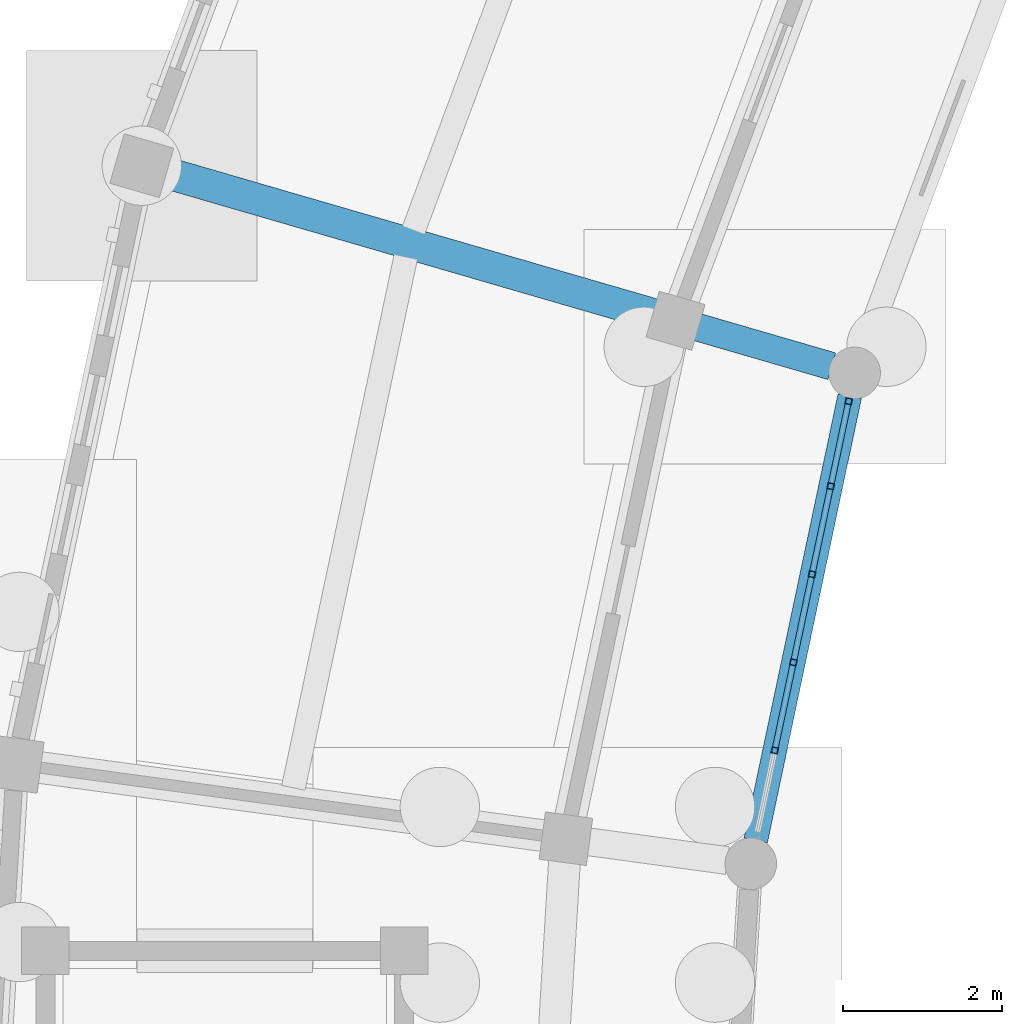
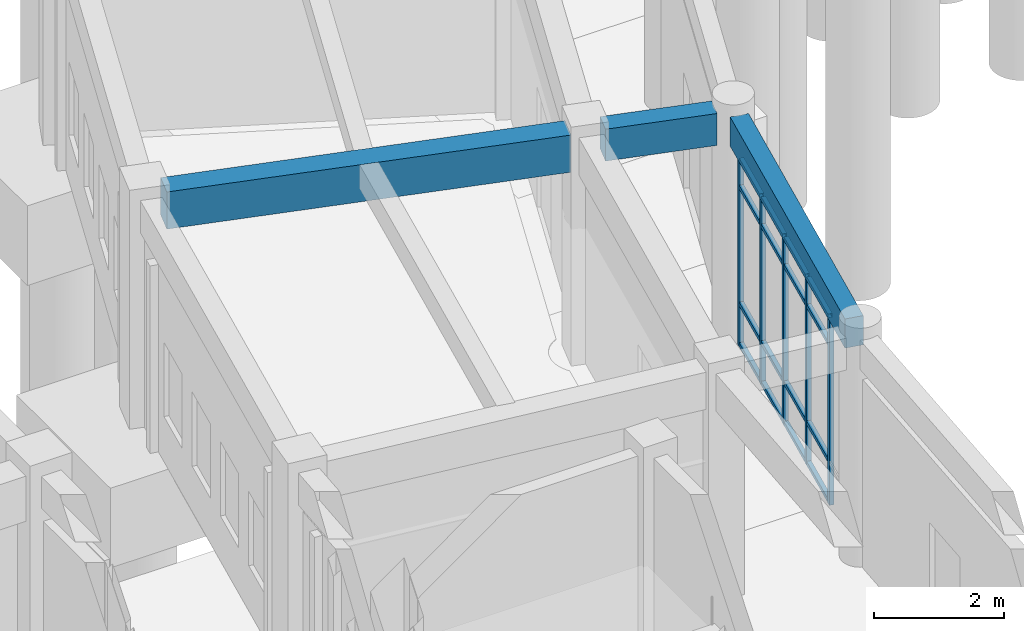
# One storey, part 65 of 153: 21 members, 3 beams, 1 element without a shape of its own.
"""IFC4 building model written with IfcOpenShell, lengths in metres."""

from ifc_helpers import new_model, si_unit, direction, frame, origin, origin_2d, place, context, subcontext, project, spatial, rectangle, hollow_rectangle, extrude, material, material_profile, profile_set, type_object, element, aggregate, save


model = new_model("IFC4")

# Units and contexts
model_context = context("Model", 3, precision=1e-05, world=origin(), true_north=direction((0.0, 1.0)))
body_context = subcontext(model_context, "Body", "Model", "MODEL_VIEW")
ifc_project = project(units=[si_unit("LENGTHUNIT", "METRE"), si_unit("AREAUNIT", "SQUARE_METRE"), si_unit("VOLUMEUNIT", "CUBIC_METRE"), si_unit("PLANEANGLEUNIT", "RADIAN"), si_unit("MASSUNIT", "GRAM", prefix="KILO")], contexts=[model_context])

# Site, building, storey
site_placement = place(None, origin())
site = spatial("IfcSite", under=ifc_project, at=site_placement, CompositionType="ELEMENT")
building_placement = place(site_placement, origin())
building = spatial("IfcBuilding", under=site, at=building_placement, Name="Celadon Cloister-Ring School", CompositionType="ELEMENT")
storey_placement = place(building_placement, origin())
storey = spatial("IfcBuildingStorey", under=building, at=storey_placement, Name="L00", CompositionType="ELEMENT", Elevation=0.0)

# Beam
ifc_material_1 = material(Name="Concrete C35/45", Category="concrete")
ifc_material_profile_1 = material_profile(ifc_material_1, rectangle(XDim=0.35009765625, YDim=0.60009765625, at=origin_2d()), Name="RC350X600")
ifc_profile_set_1 = profile_set([ifc_material_profile_1], Name="Concrete C35/45")
beam_type_1 = type_object("IfcBeamType", Name="BT-02", PredefinedType="BEAM", material=ifc_profile_set_1)
beam_1_placement = place(storey_placement, frame((44.051025390625, 71.47802734375, 3.97998046875), z_axis=(0.960278457091, -0.279043517836, 0.0), x_axis=(0.279043517836, 0.960278457091, 0.0)))
element("IfcBeam", 1, at=beam_1_placement, inside=storey, type_object=beam_type_1, Name="Beam 0012", PredefinedType="BEAM", context=body_context, shape_type="SweptSolid", body=[
    extrude(rectangle(XDim=0.35009765625, YDim=0.60009765625, at=origin_2d()), origin(), (0.0, 0.0, 1.0), 1.7744140625),
])

# Curtain wall, members
ifc_material_2 = material(Name="Aluminium EN AW-6063 T6", Category="aluminium")
curtain_wall_type = type_object("IfcCurtainWallType", Name="CW-01", PredefinedType="USERDEFINED", material=ifc_material_2)
curtain_wall_placement = place(storey_placement, origin())
curtain_wall = element("IfcCurtainWall", 2, at=curtain_wall_placement, inside=storey, type_object=curtain_wall_type, Name="Curtain Wall 0003", ObjectType="CURTAIN WALL", PredefinedType="USERDEFINED")
ifc_material_3 = material(Name="Aluminium EN AW-6063 T6", Category="aluminium")
ifc_material_profile_2 = material_profile(ifc_material_3, hollow_rectangle(XDim=0.080078125, YDim=0.080078125, WallThickness=0.00390625, at=origin_2d()), Name="RHS80X80X4")
ifc_profile_set_2 = profile_set([ifc_material_profile_2], Name="Aluminium EN AW-6063 T6")
member_type_1 = type_object("IfcMemberType", Name="CM-03", PredefinedType="MULLION", material=ifc_profile_set_2)
member_1_placement = place(storey_placement, frame((45.9677734375, 70.541748046875, 0.0), z_axis=(0.0, 0.0, 1.0), x_axis=(0.978320844999, -0.207094964304, 0.0)))
member_1 = element("IfcMember", 3, at=member_1_placement, type_object=member_type_1, Name="CW-01 mullion 1", PredefinedType="MULLION", context=body_context, shape_type="SweptSolid", body=[
    extrude(hollow_rectangle(XDim=0.080078125, YDim=0.080078125, WallThickness=0.00390625, at=origin_2d()), origin(), (0.0, 0.0, 1.0), 3.550048828125),
])
member_2_placement = place(storey_placement, frame((45.7412109375, 69.4716796875, 0.0), z_axis=(0.0, 0.0, 1.0), x_axis=(0.978320844999, -0.207094964304, 0.0)))
member_2 = element("IfcMember", 4, at=member_2_placement, type_object=member_type_1, Name="CW-01 mullion 2", PredefinedType="MULLION", context=body_context, shape_type="SweptSolid", body=[
    extrude(hollow_rectangle(XDim=0.080078125, YDim=0.080078125, WallThickness=0.00390625, at=origin_2d()), origin(), (0.0, 0.0, 1.0), 3.550048828125),
])
member_3_placement = place(storey_placement, frame((45.50634765625, 68.362548828125, 0.0), z_axis=(0.0, 0.0, 1.0), x_axis=(0.978320844999, -0.207094964304, 0.0)))
member_3 = element("IfcMember", 5, at=member_3_placement, type_object=member_type_1, Name="CW-01 mullion 3", PredefinedType="MULLION", context=body_context, shape_type="SweptSolid", body=[
    extrude(hollow_rectangle(XDim=0.080078125, YDim=0.080078125, WallThickness=0.00390625, at=origin_2d()), origin(), (0.0, 0.0, 1.0), 3.550048828125),
])
member_4_placement = place(storey_placement, frame((45.271484375, 67.25341796875, 0.0), z_axis=(0.0, 0.0, 1.0), x_axis=(0.978320844999, -0.207094964304, 0.0)))
member_4 = element("IfcMember", 6, at=member_4_placement, type_object=member_type_1, Name="CW-01 mullion 4", PredefinedType="MULLION", context=body_context, shape_type="SweptSolid", body=[
    extrude(hollow_rectangle(XDim=0.080078125, YDim=0.080078125, WallThickness=0.00390625, at=origin_2d()), origin(), (0.0, 0.0, 1.0), 3.550048828125),
])
member_5_placement = place(storey_placement, frame((45.036865234375, 66.144287109375, 0.0), z_axis=(0.0, 0.0, 1.0), x_axis=(0.978320844999, -0.207094964304, 0.0)))
member_5 = element("IfcMember", 7, at=member_5_placement, type_object=member_type_1, Name="CW-01 mullion 5", PredefinedType="MULLION", context=body_context, shape_type="SweptSolid", body=[
    extrude(hollow_rectangle(XDim=0.080078125, YDim=0.080078125, WallThickness=0.00390625, at=origin_2d()), origin(), (0.0, 0.0, 1.0), 3.550048828125),
])
ifc_material_4 = material(Name="Aluminium EN AW-6063 T6", Category="aluminium")
ifc_material_profile_3 = material_profile(ifc_material_4, hollow_rectangle(XDim=0.074951171875, YDim=0.074951171875, WallThickness=0.00390625, at=origin_2d()), Name="RHS75X75X4")
ifc_profile_set_3 = profile_set([ifc_material_profile_3], Name="Aluminium EN AW-6063 T6")
member_type_2 = type_object("IfcMemberType", Name="CTM-03", PredefinedType="USERDEFINED", material=ifc_profile_set_3)
member_6_placement = place(storey_placement, frame((45.95947265625, 70.502685546875, 0.03759765625), z_axis=(-0.20712705188, -0.97831405202, 0.0), x_axis=(0.97831405202, -0.20712705188, 0.0)))
member_6 = element("IfcMember", 8, at=member_6_placement, type_object=member_type_2, Name="CW-01 transom 1.1", ObjectType="TRANSOM", PredefinedType="USERDEFINED", context=body_context, shape_type="SweptSolid", body=[
    extrude(hollow_rectangle(XDim=0.074951171875, YDim=0.074951171875, WallThickness=0.00390625, at=origin_2d()), origin(), (0.0, 0.0, 1.0), 1.013671875),
])
member_7_placement = place(storey_placement, frame((45.95947265625, 70.502685546875, 0.800048828125), z_axis=(-0.20712705188, -0.97831405202, 0.0), x_axis=(0.97831405202, -0.20712705188, 0.0)))
member_7 = element("IfcMember", 9, at=member_7_placement, type_object=member_type_2, Name="CW-01 transom 1.2", ObjectType="TRANSOM", PredefinedType="USERDEFINED", context=body_context, shape_type="SweptSolid", body=[
    extrude(hollow_rectangle(XDim=0.074951171875, YDim=0.074951171875, WallThickness=0.00390625, at=origin_2d()), origin(), (0.0, 0.0, 1.0), 1.013671875),
])
member_8_placement = place(storey_placement, frame((45.95947265625, 70.502685546875, 3.0), z_axis=(-0.20712705188, -0.97831405202, 0.0), x_axis=(0.97831405202, -0.20712705188, 0.0)))
member_8 = element("IfcMember", 10, at=member_8_placement, type_object=member_type_2, Name="CW-01 transom 1.3", ObjectType="TRANSOM", PredefinedType="USERDEFINED", context=body_context, shape_type="SweptSolid", body=[
    extrude(hollow_rectangle(XDim=0.074951171875, YDim=0.074951171875, WallThickness=0.00390625, at=origin_2d()), origin(), (0.0, 0.0, 1.0), 1.013671875),
])
member_9_placement = place(storey_placement, frame((45.95947265625, 70.502685546875, 3.512451171875), z_axis=(-0.20712705188, -0.97831405202, 0.0), x_axis=(0.97831405202, -0.20712705188, 0.0)))
member_9 = element("IfcMember", 11, at=member_9_placement, type_object=member_type_2, Name="CW-01 transom 1.4", ObjectType="TRANSOM", PredefinedType="USERDEFINED", context=body_context, shape_type="SweptSolid", body=[
    extrude(hollow_rectangle(XDim=0.074951171875, YDim=0.074951171875, WallThickness=0.00390625, at=origin_2d()), origin(), (0.0, 0.0, 1.0), 1.013671875),
])
member_10_placement = place(storey_placement, frame((45.73291015625, 69.4326171875, 0.03759765625), z_axis=(-0.207107837816, -0.978318119793, 0.0), x_axis=(0.978318119793, -0.207107837816, 0.0)))
member_10 = element("IfcMember", 12, at=member_10_placement, type_object=member_type_2, Name="CW-01 transom 2.1", ObjectType="TRANSOM", PredefinedType="USERDEFINED", context=body_context, shape_type="SweptSolid", body=[
    extrude(hollow_rectangle(XDim=0.074951171875, YDim=0.074951171875, WallThickness=0.00390625, at=origin_2d()), origin(), (0.0, 0.0, 1.0), 1.053955078125),
])
member_11_placement = place(storey_placement, frame((45.73291015625, 69.4326171875, 0.800048828125), z_axis=(-0.207107837816, -0.978318119793, 0.0), x_axis=(0.978318119793, -0.207107837816, 0.0)))
member_11 = element("IfcMember", 13, at=member_11_placement, type_object=member_type_2, Name="CW-01 transom 2.2", ObjectType="TRANSOM", PredefinedType="USERDEFINED", context=body_context, shape_type="SweptSolid", body=[
    extrude(hollow_rectangle(XDim=0.074951171875, YDim=0.074951171875, WallThickness=0.00390625, at=origin_2d()), origin(), (0.0, 0.0, 1.0), 1.053955078125),
])
member_12_placement = place(storey_placement, frame((45.73291015625, 69.4326171875, 3.0), z_axis=(-0.207107837816, -0.978318119793, 0.0), x_axis=(0.978318119793, -0.207107837816, 0.0)))
member_12 = element("IfcMember", 14, at=member_12_placement, type_object=member_type_2, Name="CW-01 transom 2.3", ObjectType="TRANSOM", PredefinedType="USERDEFINED", context=body_context, shape_type="SweptSolid", body=[
    extrude(hollow_rectangle(XDim=0.074951171875, YDim=0.074951171875, WallThickness=0.00390625, at=origin_2d()), origin(), (0.0, 0.0, 1.0), 1.053955078125),
])
member_13_placement = place(storey_placement, frame((45.73291015625, 69.4326171875, 3.512451171875), z_axis=(-0.207107837816, -0.978318119793, 0.0), x_axis=(0.978318119793, -0.207107837816, 0.0)))
member_13 = element("IfcMember", 15, at=member_13_placement, type_object=member_type_2, Name="CW-01 transom 2.4", ObjectType="TRANSOM", PredefinedType="USERDEFINED", context=body_context, shape_type="SweptSolid", body=[
    extrude(hollow_rectangle(XDim=0.074951171875, YDim=0.074951171875, WallThickness=0.00390625, at=origin_2d()), origin(), (0.0, 0.0, 1.0), 1.053955078125),
])
member_14_placement = place(storey_placement, frame((45.498046875, 68.323486328125, 0.03759765625), z_axis=(-0.207107837816, -0.978318119793, 0.0), x_axis=(0.978318119793, -0.207107837816, 0.0)))
member_14 = element("IfcMember", 16, at=member_14_placement, type_object=member_type_2, Name="CW-01 transom 3.1", ObjectType="TRANSOM", PredefinedType="USERDEFINED", context=body_context, shape_type="SweptSolid", body=[
    extrude(hollow_rectangle(XDim=0.074951171875, YDim=0.074951171875, WallThickness=0.00390625, at=origin_2d()), origin(), (0.0, 0.0, 1.0), 1.053955078125),
])
member_15_placement = place(storey_placement, frame((45.498046875, 68.323486328125, 0.800048828125), z_axis=(-0.207107837816, -0.978318119793, 0.0), x_axis=(0.978318119793, -0.207107837816, 0.0)))
member_15 = element("IfcMember", 17, at=member_15_placement, type_object=member_type_2, Name="CW-01 transom 3.2", ObjectType="TRANSOM", PredefinedType="USERDEFINED", context=body_context, shape_type="SweptSolid", body=[
    extrude(hollow_rectangle(XDim=0.074951171875, YDim=0.074951171875, WallThickness=0.00390625, at=origin_2d()), origin(), (0.0, 0.0, 1.0), 1.053955078125),
])
member_16_placement = place(storey_placement, frame((45.498046875, 68.323486328125, 3.0), z_axis=(-0.207107837816, -0.978318119793, 0.0), x_axis=(0.978318119793, -0.207107837816, 0.0)))
member_16 = element("IfcMember", 18, at=member_16_placement, type_object=member_type_2, Name="CW-01 transom 3.3", ObjectType="TRANSOM", PredefinedType="USERDEFINED", context=body_context, shape_type="SweptSolid", body=[
    extrude(hollow_rectangle(XDim=0.074951171875, YDim=0.074951171875, WallThickness=0.00390625, at=origin_2d()), origin(), (0.0, 0.0, 1.0), 1.053955078125),
])
member_17_placement = place(storey_placement, frame((45.498046875, 68.323486328125, 3.512451171875), z_axis=(-0.207107837816, -0.978318119793, 0.0), x_axis=(0.978318119793, -0.207107837816, 0.0)))
member_17 = element("IfcMember", 19, at=member_17_placement, type_object=member_type_2, Name="CW-01 transom 3.4", ObjectType="TRANSOM", PredefinedType="USERDEFINED", context=body_context, shape_type="SweptSolid", body=[
    extrude(hollow_rectangle(XDim=0.074951171875, YDim=0.074951171875, WallThickness=0.00390625, at=origin_2d()), origin(), (0.0, 0.0, 1.0), 1.053955078125),
])
member_18_placement = place(storey_placement, frame((45.263427734375, 67.21435546875, 0.03759765625), z_axis=(-0.207107837816, -0.978318119793, 0.0), x_axis=(0.978318119793, -0.207107837816, 0.0)))
member_18 = element("IfcMember", 20, at=member_18_placement, type_object=member_type_2, Name="CW-01 transom 4.1", ObjectType="TRANSOM", PredefinedType="USERDEFINED", context=body_context, shape_type="SweptSolid", body=[
    extrude(hollow_rectangle(XDim=0.074951171875, YDim=0.074951171875, WallThickness=0.00390625, at=origin_2d()), origin(), (0.0, 0.0, 1.0), 1.053955078125),
])
member_19_placement = place(storey_placement, frame((45.263427734375, 67.21435546875, 0.800048828125), z_axis=(-0.207107837816, -0.978318119793, 0.0), x_axis=(0.978318119793, -0.207107837816, 0.0)))
member_19 = element("IfcMember", 21, at=member_19_placement, type_object=member_type_2, Name="CW-01 transom 4.2", ObjectType="TRANSOM", PredefinedType="USERDEFINED", context=body_context, shape_type="SweptSolid", body=[
    extrude(hollow_rectangle(XDim=0.074951171875, YDim=0.074951171875, WallThickness=0.00390625, at=origin_2d()), origin(), (0.0, 0.0, 1.0), 1.053955078125),
])
member_20_placement = place(storey_placement, frame((45.263427734375, 67.21435546875, 3.0), z_axis=(-0.207107837816, -0.978318119793, 0.0), x_axis=(0.978318119793, -0.207107837816, 0.0)))
member_20 = element("IfcMember", 22, at=member_20_placement, type_object=member_type_2, Name="CW-01 transom 4.3", ObjectType="TRANSOM", PredefinedType="USERDEFINED", context=body_context, shape_type="SweptSolid", body=[
    extrude(hollow_rectangle(XDim=0.074951171875, YDim=0.074951171875, WallThickness=0.00390625, at=origin_2d()), origin(), (0.0, 0.0, 1.0), 1.053955078125),
])
member_21_placement = place(storey_placement, frame((45.263427734375, 67.21435546875, 3.512451171875), z_axis=(-0.207107837816, -0.978318119793, 0.0), x_axis=(0.978318119793, -0.207107837816, 0.0)))
member_21 = element("IfcMember", 23, at=member_21_placement, type_object=member_type_2, Name="CW-01 transom 4.4", ObjectType="TRANSOM", PredefinedType="USERDEFINED", context=body_context, shape_type="SweptSolid", body=[
    extrude(hollow_rectangle(XDim=0.074951171875, YDim=0.074951171875, WallThickness=0.00390625, at=origin_2d()), origin(), (0.0, 0.0, 1.0), 1.053955078125),
])
aggregate(curtain_wall, [member_1, member_2, member_3, member_4, member_5, member_6, member_7, member_8, member_9, member_10, member_11, member_12, member_13, member_14, member_15, member_16, member_17, member_18, member_19, member_20, member_21])

# Beams
ifc_material_5 = material(Name="Concrete C35/45", Category="concrete")
ifc_material_profile_4 = material_profile(ifc_material_5, rectangle(XDim=0.39990234375, YDim=0.699951171875, at=origin_2d()), Name="RC400X700")
ifc_profile_set_4 = profile_set([ifc_material_profile_4], Name="Concrete C35/45")
beam_type_2 = type_object("IfcBeamType", Name="GT-03", PredefinedType="USERDEFINED", material=ifc_profile_set_4)
beam_2_placement = place(storey_placement, frame((37.35302734375, 73.424072265625, 3.929931640625), z_axis=(0.960316025972, -0.278914198743, 0.0), x_axis=(0.278914198743, 0.960316025972, 0.0)))
element("IfcBeam", 24, at=beam_2_placement, inside=storey, type_object=beam_type_2, Name="Beam 0011", ObjectType="GIRDER", PredefinedType="USERDEFINED", context=body_context, shape_type="SweptSolid", body=[
    extrude(rectangle(XDim=0.39990234375, YDim=0.699951171875, at=origin_2d()), origin(), (0.0, 0.0, 1.0), 6.4248046875),
])
ifc_material_6 = material(Name="Concrete C35/45", Category="concrete")
ifc_material_profile_5 = material_profile(ifc_material_6, rectangle(XDim=0.300048828125, YDim=0.550048828125, at=origin_2d()), Name="RC300X550")
ifc_profile_set_5 = profile_set([ifc_material_profile_5], Name="Concrete C35/45")
beam_type_3 = type_object("IfcBeamType", Name="SP-02", PredefinedType="SPANDREL", material=ifc_profile_set_5)
beam_3_placement = place(storey_placement, frame((45.98095703125, 70.60498046875, 4.0048828125), z_axis=(-0.207041113991, -0.978332242706, 0.0), x_axis=(0.978332242706, -0.207041113991, 0.0)))
element("IfcBeam", 25, at=beam_3_placement, inside=storey, type_object=beam_type_3, Name="Beam 0091", PredefinedType="SPANDREL", context=body_context, shape_type="SweptSolid", body=[
    extrude(rectangle(XDim=0.300048828125, YDim=0.550048828125, at=origin_2d()), origin(), (0.0, 0.0, 1.0), 5.7177734375),
])

save(model, "model.ifc")
